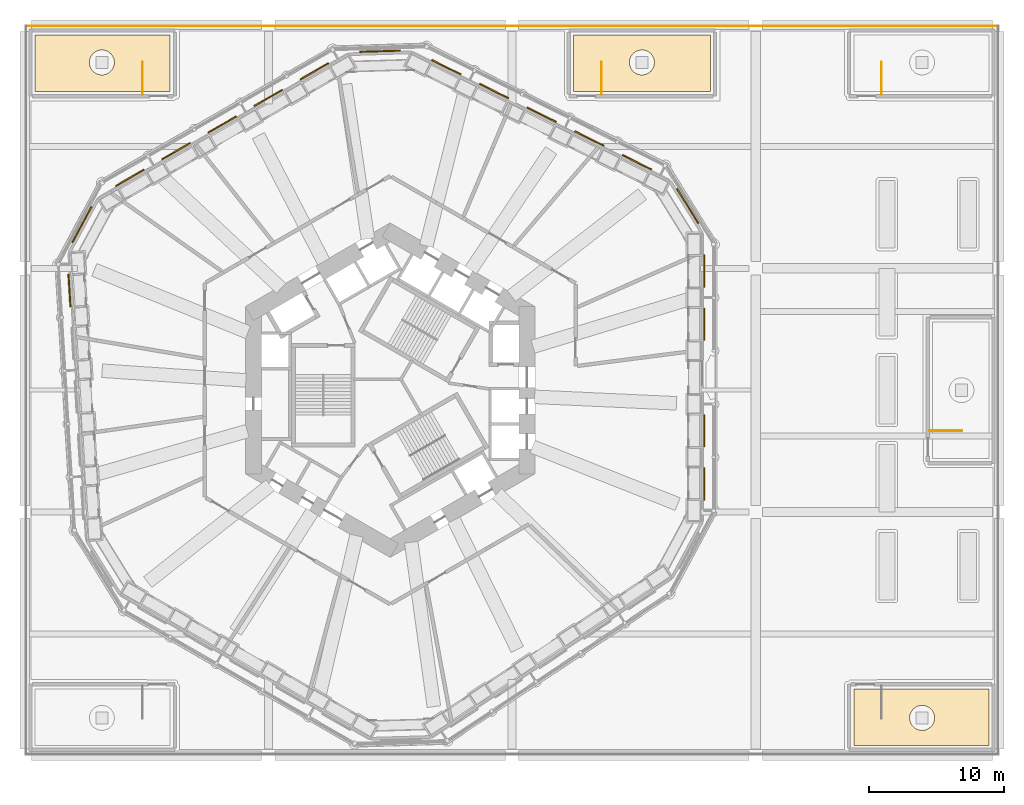
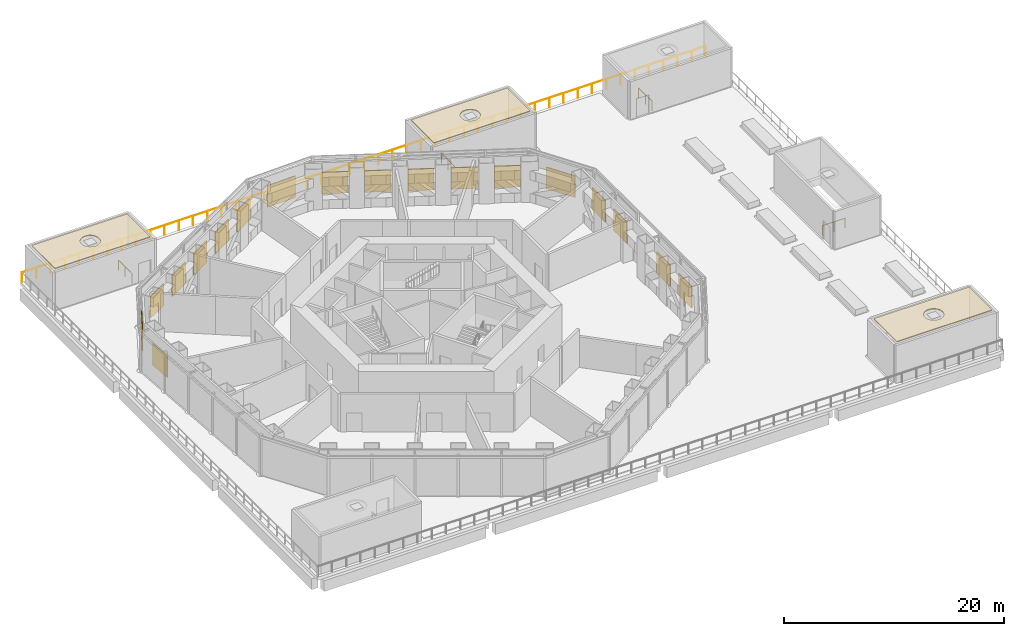
# One storey, part 18 of 20: 18 shading devices, 5 railings, 3 coverings.
"""IFC4 building model written with IfcOpenShell, lengths in metres."""

from ifc_helpers import new_model, si_unit, direction, frame, origin, origin_2d, place, context, subcontext, project, spatial, polyline, rectangle, circle, outline, extrude, material, layer, layer_set, type_object, element, save


model = new_model("IFC4")

# Units and contexts
model_context = context("Model", 3, precision=1e-05, world=origin(), true_north=direction((0.0, 1.0)))
body_context = subcontext(model_context, "Body", "Model", "MODEL_VIEW")
ifc_project = project(units=[si_unit("LENGTHUNIT", "METRE"), si_unit("AREAUNIT", "SQUARE_METRE"), si_unit("VOLUMEUNIT", "CUBIC_METRE"), si_unit("PLANEANGLEUNIT", "RADIAN"), si_unit("MASSUNIT", "GRAM", prefix="KILO")], contexts=[model_context])

# Site, building, storey
site_placement = place(None, origin())
site = spatial("IfcSite", under=ifc_project, at=site_placement, CompositionType="ELEMENT")
building_placement = place(site_placement, origin())
building = spatial("IfcBuilding", under=site, at=building_placement, Name="Vanh Sen Convention Tower", CompositionType="ELEMENT")
storey_placement = place(building_placement, frame((0.0, 0.0, 34.5)))
storey = spatial("IfcBuildingStorey", under=building, at=storey_placement, Name="L05", CompositionType="ELEMENT", Elevation=34.5)

# Shading devices
ifc_material_1 = material(Name="Aluminium fixed louvre", Category="aluminium")
ifc_layer_1 = layer(ifc_material_1, 0.10009765625)
ifc_layer_set_1 = layer_set([ifc_layer_1], Name="Aluminium fixed louvre")
shading_device_type_1 = type_object("IfcShadingDeviceType", Name="Fixed louvre band 2400 x 2400", PredefinedType="USERDEFINED", material=ifc_layer_set_1)
for number, where, z_axis, x_axis, name in (
    (1, (23.199951171875, -6.931884765625, 0.900146484375), (0.0, 0.0, 1.0), (0.0, 1.0, 0.0), "Fixed louvre band LV1-E1"),
    (2, (23.199951171875, -2.997314453125, 0.900146484375), (0.0, 0.0, 1.0), (0.0, 1.0, 0.0), "Fixed louvre band LV1-E2"),
    (3, (23.199951171875, 4.871826171875, 0.900146484375), (0.0, 0.0, 1.0), (0.0, 1.0, 0.0), "Fixed louvre band LV1-E4"),
    (4, (23.199951171875, 8.806396484375, 0.900146484375), (0.0, 0.0, 1.0), (0.0, 1.0, 0.0), "Fixed louvre band LV1-E5"),
    (5, (18.23291015625, 16.8330078125, 0.900146484375), (0.0, 0.0, 1.0), (-0.894933582839, 0.446199375064, 0.0), "Fixed louvre band LV1-NE1"),
    (6, (14.7119140625, 18.588623046875, 0.900146484375), (0.0, 0.0, 1.0), (-0.894933582839, 0.446199375064, 0.0), "Fixed louvre band LV1-NE2"),
    (7, (11.190673828125, 20.34423828125, 0.900146484375), (0.0, 0.0, 1.0), (-0.894933582839, 0.446199375064, 0.0), "Fixed louvre band LV1-NE3"),
    (8, (7.66943359375, 22.099853515625, 0.900146484375), (0.0, 0.0, 1.0), (-0.894933582839, 0.446199375064, 0.0), "Fixed louvre band LV1-NE4"),
    (9, (4.148193359375, 23.85546875, 0.900146484375), (0.0, 0.0, 1.0), (-0.894933582839, 0.446199375064, 0.0), "Fixed louvre band LV1-NE5"),
    (10, (-5.5966796875, 23.557861328125, 0.900146484375), (0.0, 0.0, 1.0), (-0.866024531118, -0.500001511499, 0.0), "Fixed louvre band LV1-NW1"),
    (11, (-9.004150390625, 21.59033203125, 0.900146484375), (0.0, 0.0, 1.0), (-0.866024531118, -0.500001511499, 0.0), "Fixed louvre band LV1-NW2"),
    (12, (-12.41162109375, 19.623046875, 0.900146484375), (0.0, 0.0, 1.0), (-0.866024531118, -0.500001511499, 0.0), "Fixed louvre band LV1-NW3"),
    (13, (-15.819091796875, 17.65576171875, 0.900146484375), (0.0, 0.0, 1.0), (-0.866024531118, -0.500001511499, 0.0), "Fixed louvre band LV1-NW4"),
    (14, (-19.2265625, 15.6884765625, 0.900146484375), (0.0, 0.0, 1.0), (-0.866024531118, -0.500001511499, 0.0), "Fixed louvre band LV1-NW5"),
    (15, (-23.6943359375, 7.373779296875, 0.900146484375), (0.0, 0.0, 1.0), (0.061048539535, -0.998134798422, 0.0), "Fixed louvre band LV1-W1"),
):
    element("IfcShadingDevice", number, at=place(storey_placement, frame(where, z_axis=z_axis, x_axis=x_axis)), inside=storey, type_object=shading_device_type_1, Name=name, ObjectType="LOUVRE", PredefinedType="USERDEFINED", context=body_context, shape_type="SweptSolid", body=[
        extrude(rectangle(XDim=2.39990234375, YDim=0.10009765625, at=origin_2d()), origin(), (0.0, 0.0, 1.0), 2.39990234375),
    ])
ifc_layer_2 = layer(ifc_material_1, 0.10009765625)
ifc_layer_set_2 = layer_set([ifc_layer_2], Name="Aluminium fixed louvre")
shading_device_type_2 = type_object("IfcShadingDeviceType", Name="Fixed louvre band 3000 x 2400", PredefinedType="USERDEFINED", material=ifc_layer_set_2)
for number, where, z_axis, x_axis, name in (
    (16, (21.980224609375, 13.601806640625, 0.900146484375), (0.0, 0.0, 1.0), (-0.526209471211, 0.850354980234, 0.0), "Fixed louvre band LV2-CH11"),
    (17, (-0.764892578125, 25.039794921875, 0.900146484375), (0.0, 0.0, 1.0), (-0.999533377613, -0.03054549127, 0.0), "Fixed louvre band LV2-CH21"),
    (18, (-22.76953125, 12.234619140625, 0.900146484375), (0.0, 0.0, 1.0), (-0.473333504126, -0.880883303209, 0.0), "Fixed louvre band LV2-CH31"),
):
    element("IfcShadingDevice", number, at=place(storey_placement, frame(where, z_axis=z_axis, x_axis=x_axis)), inside=storey, type_object=shading_device_type_2, Name=name, ObjectType="LOUVRE", PredefinedType="USERDEFINED", context=body_context, shape_type="SweptSolid", body=[
        extrude(rectangle(XDim=3.0, YDim=0.10009765625, at=origin_2d()), origin(), (0.0, 0.0, 1.0), 2.39990234375),
    ])

# Railings
ifc_material_2 = material(Name="Stainless steel", Category="steel")
railing_type_1 = type_object("IfcRailingType", Name="Podium stair guard 1100", PredefinedType="GUARDRAIL", material=ifc_material_2)
railing_1_placement = place(storey_placement, frame((36.300048828125, 21.85009765625, 0.0)))
element("IfcRailing", 19, at=railing_1_placement, inside=storey, type_object=railing_type_1, Name="Guard PS1 L05", PredefinedType="GUARDRAIL", context=body_context, shape_type="SweptSolid", body=[
    extrude(circle(Radius=0.02392578125, at=origin_2d()), frame((0.0, 0.0, 1.076171875), z_axis=(0.0, 1.0, 0.0), x_axis=(-1.0, 0.0, 0.0)), (0.0, 0.0, 1.0), 2.39990234375),
    extrude(circle(Radius=0.02099609375, at=origin_2d()), origin(), (0.0, 0.0, 1.0), 1.052001953125),
    extrude(circle(Radius=0.02099609375, at=origin_2d()), frame((0.0, 1.199951171875, 0.0)), (0.0, 0.0, 1.0), 1.052001953125),
    extrude(circle(Radius=0.02099609375, at=origin_2d()), frame((0.0, 2.39990234375, 0.0)), (0.0, 0.0, 1.0), 1.052001953125),
])
railing_2_placement = place(storey_placement, frame((39.85009765625, -3.0, 0.0)))
element("IfcRailing", 20, at=railing_2_placement, inside=storey, type_object=railing_type_1, Name="Guard PS3 L05", PredefinedType="GUARDRAIL", context=body_context, shape_type="SweptSolid", body=[
    extrude(circle(Radius=0.02392578125, at=origin_2d()), frame((0.0, 0.0, 1.076171875), z_axis=(1.0, 0.0, 0.0), x_axis=(0.0, 1.0, 0.0)), (0.0, 0.0, 1.0), 2.39990234375),
    extrude(circle(Radius=0.02099609375, at=origin_2d()), origin(), (0.0, 0.0, 1.0), 1.052001953125),
    extrude(circle(Radius=0.02099609375, at=origin_2d()), frame((1.199951171875, 0.0, 0.0)), (0.0, 0.0, 1.0), 1.052001953125),
    extrude(circle(Radius=0.02099609375, at=origin_2d()), frame((2.39990234375, 0.0, 0.0)), (0.0, 0.0, 1.0), 1.052001953125),
])
for number, where, name in (
    (21, (15.60009765625, 21.85009765625, 0.0), "Guard PS4 L05"),
    (22, (-18.300048828125, 21.85009765625, 0.0), "Guard PS5 L05"),
):
    element("IfcRailing", number, at=place(storey_placement, frame(where)), inside=storey, type_object=railing_type_1, Name=name, PredefinedType="GUARDRAIL", context=body_context, shape_type="SweptSolid", body=[
        extrude(circle(Radius=0.02392578125, at=origin_2d()), frame((0.0, 0.0, 1.076171875), z_axis=(0.0, 1.0, 0.0), x_axis=(-1.0, 0.0, 0.0)), (0.0, 0.0, 1.0), 2.39990234375),
        extrude(circle(Radius=0.02099609375, at=origin_2d()), origin(), (0.0, 0.0, 1.0), 1.052001953125),
        extrude(circle(Radius=0.02099609375, at=origin_2d()), frame((0.0, 1.199951171875, 0.0)), (0.0, 0.0, 1.0), 1.052001953125),
        extrude(circle(Radius=0.02099609375, at=origin_2d()), frame((0.0, 2.39990234375, 0.0)), (0.0, 0.0, 1.0), 1.052001953125),
    ])

# Coverings
ifc_material_3 = material(Name="Bituminous roof membrane on rigid insulation")
ifc_layer_3 = layer(ifc_material_3, 0.090087890625)
ifc_layer_set_3 = layer_set([ifc_layer_3], Name="Bituminous roof membrane on rigid insulation")
covering_type = type_object("IfcCoveringType", Name="Roof membrane and insulation 90", PredefinedType="ROOFING", material=ifc_layer_set_3)
covering_1_placement = place(storey_placement, frame((0.0, 0.0, 4.199951171875)))
element("IfcCovering", 23, at=covering_1_placement, inside=storey, type_object=covering_type, Name="Roof covering RC1", PredefinedType="ROOFING", context=body_context, shape_type="SweptSolid", body=[
    extrude(outline(polyline([(34.25, -26.25), (44.25, -26.25), (44.25, -22.074951171875), (34.25, -22.074951171875), (34.25, -26.25)]), holes=[polyline([(40.17724609375, -24.489013671875), (40.18310546875, -24.47021484375), (40.2001953125, -24.401611328125), (40.2041015625, -24.38232421875), (40.21435546875, -24.3125), (40.21630859375, -24.29296875), (40.2197265625, -24.222412109375), (40.2197265625, -24.20263671875), (40.21630859375, -24.132080078125), (40.21435546875, -24.112548828125), (40.2041015625, -24.042724609375), (40.2001953125, -24.0234375), (40.18310546875, -23.954833984375), (40.17724609375, -23.93603515625), (40.153564453125, -23.86962890625), (40.14599609375, -23.8515625), (40.11572265625, -23.78759765625), (40.1064453125, -23.770263671875), (40.0703125, -23.709716796875), (40.059326171875, -23.693359375), (40.01708984375, -23.63671875), (40.0048828125, -23.621337890625), (39.957275390625, -23.569091796875), (39.943359375, -23.55517578125), (39.89111328125, -23.5078125), (39.8759765625, -23.495361328125), (39.819091796875, -23.453125), (39.802734375, -23.4423828125), (39.7421875, -23.406005859375), (39.724853515625, -23.396728515625), (39.660888671875, -23.366455078125), (39.642822265625, -23.35888671875), (39.576416015625, -23.335205078125), (39.5576171875, -23.32958984375), (39.489013671875, -23.312255859375), (39.4697265625, -23.30859375), (39.39990234375, -23.298095703125), (39.38037109375, -23.296142578125), (39.309814453125, -23.292724609375), (39.290283203125, -23.292724609375), (39.219482421875, -23.296142578125), (39.2001953125, -23.298095703125), (39.130126953125, -23.30859375), (39.11083984375, -23.312255859375), (39.04248046875, -23.32958984375), (39.023681640625, -23.335205078125), (38.95703125, -23.35888671875), (38.93896484375, -23.366455078125), (38.875, -23.396728515625), (38.85791015625, -23.406005859375), (38.797119140625, -23.4423828125), (38.78076171875, -23.453125), (38.72412109375, -23.495361328125), (38.708984375, -23.5078125), (38.656494140625, -23.55517578125), (38.642578125, -23.569091796875), (38.59521484375, -23.621337890625), (38.582763671875, -23.63671875), (38.540771484375, -23.693359375), (38.52978515625, -23.709716796875), (38.493408203125, -23.770263671875), (38.484130859375, -23.78759765625), (38.4541015625, -23.8515625), (38.446533203125, -23.86962890625), (38.422607421875, -23.93603515625), (38.4169921875, -23.954833984375), (38.39990234375, -24.0234375), (38.39599609375, -24.042724609375), (38.385498046875, -24.112548828125), (38.3837890625, -24.132080078125), (38.380126953125, -24.20263671875), (38.380126953125, -24.222412109375), (38.3837890625, -24.29296875), (38.385498046875, -24.3125), (38.39599609375, -24.38232421875), (38.39990234375, -24.401611328125), (38.4169921875, -24.47021484375), (38.422607421875, -24.489013671875), (38.446533203125, -24.555419921875), (38.4541015625, -24.573486328125), (38.484130859375, -24.637451171875), (38.493408203125, -24.65478515625), (38.52978515625, -24.71533203125), (38.540771484375, -24.731689453125), (38.582763671875, -24.788330078125), (38.59521484375, -24.8037109375), (38.642578125, -24.85595703125), (38.656494140625, -24.869873046875), (38.708984375, -24.917236328125), (38.72412109375, -24.9296875), (38.78076171875, -24.9716796875), (38.797119140625, -24.982666015625), (38.85791015625, -25.01904296875), (38.875, -25.0283203125), (38.93896484375, -25.05859375), (38.95703125, -25.06591796875), (39.023681640625, -25.08984375), (39.04248046875, -25.095458984375), (39.11083984375, -25.11279296875), (39.130126953125, -25.116455078125), (39.2001953125, -25.126953125), (39.219482421875, -25.12890625), (39.290283203125, -25.13232421875), (39.309814453125, -25.13232421875), (39.38037109375, -25.12890625), (39.39990234375, -25.126953125), (39.4697265625, -25.116455078125), (39.489013671875, -25.11279296875), (39.5576171875, -25.095458984375), (39.576416015625, -25.08984375), (39.642822265625, -25.06591796875), (39.660888671875, -25.05859375), (39.724853515625, -25.0283203125), (39.7421875, -25.01904296875), (39.802734375, -24.982666015625), (39.819091796875, -24.9716796875), (39.8759765625, -24.9296875), (39.89111328125, -24.917236328125), (39.943359375, -24.869873046875), (39.957275390625, -24.85595703125), (40.0048828125, -24.8037109375), (40.01708984375, -24.788330078125), (40.059326171875, -24.731689453125), (40.0703125, -24.71533203125), (40.1064453125, -24.65478515625), (40.11572265625, -24.637451171875), (40.14599609375, -24.573486328125), (40.153564453125, -24.555419921875), (40.17724609375, -24.489013671875)])]), origin(), (0.0, 0.0, 1.0), 0.090087890625),
])
covering_2_placement = place(storey_placement, frame((0.0, 0.0, 4.199951171875)))
element("IfcCovering", 24, at=covering_2_placement, inside=storey, type_object=covering_type, Name="Roof covering RC1", PredefinedType="ROOFING", context=body_context, shape_type="SweptSolid", body=[
    extrude(outline(polyline([(13.550048828125, 22.074951171875), (23.64990234375, 22.074951171875), (23.64990234375, 26.25), (13.550048828125, 26.25), (13.550048828125, 22.074951171875)]), holes=[polyline([(19.45361328125, 23.86962890625), (19.477294921875, 23.93603515625), (19.48291015625, 23.954833984375), (19.500244140625, 24.0234375), (19.50390625, 24.042724609375), (19.514404296875, 24.112548828125), (19.516357421875, 24.132080078125), (19.519775390625, 24.20263671875), (19.519775390625, 24.222412109375), (19.516357421875, 24.29296875), (19.514404296875, 24.3125), (19.50390625, 24.38232421875), (19.500244140625, 24.401611328125), (19.48291015625, 24.47021484375), (19.477294921875, 24.489013671875), (19.45361328125, 24.555419921875), (19.446044921875, 24.573486328125), (19.415771484375, 24.637451171875), (19.406494140625, 24.65478515625), (19.3701171875, 24.71533203125), (19.359375, 24.731689453125), (19.317138671875, 24.788330078125), (19.3046875, 24.8037109375), (19.25732421875, 24.85595703125), (19.243408203125, 24.869873046875), (19.191162109375, 24.917236328125), (19.17578125, 24.9296875), (19.119140625, 24.9716796875), (19.102783203125, 24.982666015625), (19.042236328125, 25.01904296875), (19.02490234375, 25.0283203125), (18.9609375, 25.05859375), (18.94287109375, 25.06591796875), (18.87646484375, 25.08984375), (18.857666015625, 25.095458984375), (18.7890625, 25.11279296875), (18.769775390625, 25.116455078125), (18.699951171875, 25.126953125), (18.680419921875, 25.12890625), (18.60986328125, 25.13232421875), (18.590087890625, 25.13232421875), (18.51953125, 25.12890625), (18.5, 25.126953125), (18.43017578125, 25.116455078125), (18.410888671875, 25.11279296875), (18.34228515625, 25.095458984375), (18.323486328125, 25.08984375), (18.257080078125, 25.06591796875), (18.239013671875, 25.05859375), (18.175048828125, 25.0283203125), (18.15771484375, 25.01904296875), (18.09716796875, 24.982666015625), (18.080810546875, 24.9716796875), (18.024169921875, 24.9296875), (18.0087890625, 24.917236328125), (17.95654296875, 24.869873046875), (17.942626953125, 24.85595703125), (17.895263671875, 24.8037109375), (17.8828125, 24.788330078125), (17.8408203125, 24.731689453125), (17.829833984375, 24.71533203125), (17.79345703125, 24.65478515625), (17.7841796875, 24.637451171875), (17.75390625, 24.573486328125), (17.74658203125, 24.555419921875), (17.72265625, 24.489013671875), (17.717041015625, 24.47021484375), (17.69970703125, 24.401611328125), (17.696044921875, 24.38232421875), (17.685546875, 24.3125), (17.68359375, 24.29296875), (17.68017578125, 24.222412109375), (17.68017578125, 24.20263671875), (17.68359375, 24.132080078125), (17.685546875, 24.112548828125), (17.696044921875, 24.042724609375), (17.69970703125, 24.0234375), (17.717041015625, 23.954833984375), (17.72265625, 23.93603515625), (17.74658203125, 23.86962890625), (17.75390625, 23.8515625), (17.7841796875, 23.78759765625), (17.79345703125, 23.770263671875), (17.829833984375, 23.709716796875), (17.8408203125, 23.693359375), (17.8828125, 23.63671875), (17.895263671875, 23.621337890625), (17.942626953125, 23.569091796875), (17.95654296875, 23.55517578125), (18.0087890625, 23.5078125), (18.024169921875, 23.495361328125), (18.080810546875, 23.453125), (18.09716796875, 23.4423828125), (18.15771484375, 23.406005859375), (18.175048828125, 23.396728515625), (18.239013671875, 23.366455078125), (18.257080078125, 23.35888671875), (18.323486328125, 23.335205078125), (18.34228515625, 23.32958984375), (18.410888671875, 23.312255859375), (18.43017578125, 23.30859375), (18.5, 23.298095703125), (18.51953125, 23.296142578125), (18.590087890625, 23.292724609375), (18.60986328125, 23.292724609375), (18.680419921875, 23.296142578125), (18.699951171875, 23.298095703125), (18.769775390625, 23.30859375), (18.7890625, 23.312255859375), (18.857666015625, 23.32958984375), (18.87646484375, 23.335205078125), (18.94287109375, 23.35888671875), (18.9609375, 23.366455078125), (19.02490234375, 23.396728515625), (19.042236328125, 23.406005859375), (19.102783203125, 23.4423828125), (19.119140625, 23.453125), (19.17578125, 23.495361328125), (19.191162109375, 23.5078125), (19.243408203125, 23.55517578125), (19.25732421875, 23.569091796875), (19.3046875, 23.621337890625), (19.317138671875, 23.63671875), (19.359375, 23.693359375), (19.3701171875, 23.709716796875), (19.406494140625, 23.770263671875), (19.415771484375, 23.78759765625), (19.446044921875, 23.8515625), (19.45361328125, 23.86962890625)])]), origin(), (0.0, 0.0, 1.0), 0.090087890625),
])
covering_3_placement = place(storey_placement, frame((0.0, 0.0, 4.199951171875)))
element("IfcCovering", 25, at=covering_3_placement, inside=storey, type_object=covering_type, Name="Roof covering RC1", PredefinedType="ROOFING", context=body_context, shape_type="SweptSolid", body=[
    extrude(outline(polyline([(-16.25, 26.25), (-26.25, 26.25), (-26.25, 22.074951171875), (-16.25, 22.074951171875), (-16.25, 26.25)]), holes=[polyline([(-20.422607421875, 23.93603515625), (-20.4169921875, 23.954833984375), (-20.39990234375, 24.0234375), (-20.39599609375, 24.042724609375), (-20.385498046875, 24.112548828125), (-20.3837890625, 24.132080078125), (-20.380126953125, 24.20263671875), (-20.380126953125, 24.222412109375), (-20.3837890625, 24.29296875), (-20.385498046875, 24.3125), (-20.39599609375, 24.38232421875), (-20.39990234375, 24.401611328125), (-20.4169921875, 24.47021484375), (-20.422607421875, 24.489013671875), (-20.446533203125, 24.555419921875), (-20.4541015625, 24.573486328125), (-20.484130859375, 24.637451171875), (-20.493408203125, 24.65478515625), (-20.52978515625, 24.71533203125), (-20.540771484375, 24.731689453125), (-20.582763671875, 24.788330078125), (-20.59521484375, 24.8037109375), (-20.642578125, 24.85595703125), (-20.656494140625, 24.869873046875), (-20.708984375, 24.917236328125), (-20.72412109375, 24.9296875), (-20.78076171875, 24.9716796875), (-20.797119140625, 24.982666015625), (-20.85791015625, 25.01904296875), (-20.875, 25.0283203125), (-20.93896484375, 25.05859375), (-20.95703125, 25.06591796875), (-21.023681640625, 25.08984375), (-21.04248046875, 25.095458984375), (-21.11083984375, 25.11279296875), (-21.130126953125, 25.116455078125), (-21.2001953125, 25.126953125), (-21.219482421875, 25.12890625), (-21.290283203125, 25.13232421875), (-21.309814453125, 25.13232421875), (-21.38037109375, 25.12890625), (-21.39990234375, 25.126953125), (-21.4697265625, 25.116455078125), (-21.489013671875, 25.11279296875), (-21.5576171875, 25.095458984375), (-21.576416015625, 25.08984375), (-21.642822265625, 25.06591796875), (-21.660888671875, 25.05859375), (-21.724853515625, 25.0283203125), (-21.7421875, 25.01904296875), (-21.802734375, 24.982666015625), (-21.819091796875, 24.9716796875), (-21.8759765625, 24.9296875), (-21.89111328125, 24.917236328125), (-21.943359375, 24.869873046875), (-21.957275390625, 24.85595703125), (-22.0048828125, 24.8037109375), (-22.01708984375, 24.788330078125), (-22.059326171875, 24.731689453125), (-22.0703125, 24.71533203125), (-22.1064453125, 24.65478515625), (-22.11572265625, 24.637451171875), (-22.14599609375, 24.573486328125), (-22.153564453125, 24.555419921875), (-22.17724609375, 24.489013671875), (-22.18310546875, 24.47021484375), (-22.2001953125, 24.401611328125), (-22.2041015625, 24.38232421875), (-22.21435546875, 24.3125), (-22.21630859375, 24.29296875), (-22.2197265625, 24.222412109375), (-22.2197265625, 24.20263671875), (-22.21630859375, 24.132080078125), (-22.21435546875, 24.112548828125), (-22.2041015625, 24.042724609375), (-22.2001953125, 24.0234375), (-22.18310546875, 23.954833984375), (-22.17724609375, 23.93603515625), (-22.153564453125, 23.86962890625), (-22.14599609375, 23.8515625), (-22.11572265625, 23.78759765625), (-22.1064453125, 23.770263671875), (-22.0703125, 23.709716796875), (-22.059326171875, 23.693359375), (-22.01708984375, 23.63671875), (-22.0048828125, 23.621337890625), (-21.957275390625, 23.569091796875), (-21.943359375, 23.55517578125), (-21.89111328125, 23.5078125), (-21.8759765625, 23.495361328125), (-21.819091796875, 23.453125), (-21.802734375, 23.4423828125), (-21.7421875, 23.406005859375), (-21.724853515625, 23.396728515625), (-21.660888671875, 23.366455078125), (-21.642822265625, 23.35888671875), (-21.576416015625, 23.335205078125), (-21.5576171875, 23.32958984375), (-21.489013671875, 23.312255859375), (-21.4697265625, 23.30859375), (-21.39990234375, 23.298095703125), (-21.38037109375, 23.296142578125), (-21.309814453125, 23.292724609375), (-21.290283203125, 23.292724609375), (-21.219482421875, 23.296142578125), (-21.2001953125, 23.298095703125), (-21.130126953125, 23.30859375), (-21.11083984375, 23.312255859375), (-21.04248046875, 23.32958984375), (-21.023681640625, 23.335205078125), (-20.95703125, 23.35888671875), (-20.93896484375, 23.366455078125), (-20.875, 23.396728515625), (-20.85791015625, 23.406005859375), (-20.797119140625, 23.4423828125), (-20.78076171875, 23.453125), (-20.72412109375, 23.495361328125), (-20.708984375, 23.5078125), (-20.656494140625, 23.55517578125), (-20.642578125, 23.569091796875), (-20.59521484375, 23.621337890625), (-20.582763671875, 23.63671875), (-20.540771484375, 23.693359375), (-20.52978515625, 23.709716796875), (-20.493408203125, 23.770263671875), (-20.484130859375, 23.78759765625), (-20.4541015625, 23.8515625), (-20.446533203125, 23.86962890625), (-20.422607421875, 23.93603515625)])]), origin(), (0.0, 0.0, 1.0), 0.090087890625),
])

# Railing
ifc_material_4 = material(Name="Stainless steel posts with toughened glass infill", Category="steel")
railing_type_2 = type_object("IfcRailingType", Name="Terrace guard 1150", PredefinedType="GUARDRAIL", material=ifc_material_4)
railing_3_placement = place(storey_placement, frame((44.89990234375, 26.89990234375, 0.0)))
element("IfcRailing", 26, at=railing_3_placement, inside=storey, type_object=railing_type_2, Name="Terrace guard N L05", PredefinedType="GUARDRAIL", context=body_context, shape_type="SweptSolid", body=[
    extrude(circle(Radius=0.02392578125, at=origin_2d()), frame((0.0, 0.0, 1.1259765625), z_axis=(-1.0, 0.0, 0.0), x_axis=(0.0, -1.0, 0.0)), (0.0, 0.0, 1.0), 71.7998046875),
    extrude(circle(Radius=0.02099609375, at=origin_2d()), origin(), (0.0, 0.0, 1.0), 1.101806640625),
    extrude(circle(Radius=0.02099609375, at=origin_2d()), frame((-1.495849609375, 0.0, 0.0)), (0.0, 0.0, 1.0), 1.101806640625),
    extrude(circle(Radius=0.02099609375, at=origin_2d()), frame((-2.99169921875, 0.0, 0.0)), (0.0, 0.0, 1.0), 1.101806640625),
    extrude(circle(Radius=0.02099609375, at=origin_2d()), frame((-4.487548828125, 0.0, 0.0)), (0.0, 0.0, 1.0), 1.101806640625),
    extrude(circle(Radius=0.02099609375, at=origin_2d()), frame((-5.9833984375, 0.0, 0.0)), (0.0, 0.0, 1.0), 1.101806640625),
    extrude(circle(Radius=0.02099609375, at=origin_2d()), frame((-7.479248046875, 0.0, 0.0)), (0.0, 0.0, 1.0), 1.101806640625),
    extrude(circle(Radius=0.02099609375, at=origin_2d()), frame((-8.97509765625, 0.0, 0.0)), (0.0, 0.0, 1.0), 1.101806640625),
    extrude(circle(Radius=0.02099609375, at=origin_2d()), frame((-10.470703125, 0.0, 0.0)), (0.0, 0.0, 1.0), 1.101806640625),
    extrude(circle(Radius=0.02099609375, at=origin_2d()), frame((-11.966552734375, 0.0, 0.0)), (0.0, 0.0, 1.0), 1.101806640625),
    extrude(circle(Radius=0.02099609375, at=origin_2d()), frame((-13.46240234375, 0.0, 0.0)), (0.0, 0.0, 1.0), 1.101806640625),
    extrude(circle(Radius=0.02099609375, at=origin_2d()), frame((-14.958251953125, 0.0, 0.0)), (0.0, 0.0, 1.0), 1.101806640625),
    extrude(circle(Radius=0.02099609375, at=origin_2d()), frame((-16.4541015625, 0.0, 0.0)), (0.0, 0.0, 1.0), 1.101806640625),
    extrude(circle(Radius=0.02099609375, at=origin_2d()), frame((-17.949951171875, 0.0, 0.0)), (0.0, 0.0, 1.0), 1.101806640625),
    extrude(circle(Radius=0.02099609375, at=origin_2d()), frame((-19.44580078125, 0.0, 0.0)), (0.0, 0.0, 1.0), 1.101806640625),
    extrude(circle(Radius=0.02099609375, at=origin_2d()), frame((-20.941650390625, 0.0, 0.0)), (0.0, 0.0, 1.0), 1.101806640625),
    extrude(circle(Radius=0.02099609375, at=origin_2d()), frame((-22.4375, 0.0, 0.0)), (0.0, 0.0, 1.0), 1.101806640625),
    extrude(circle(Radius=0.02099609375, at=origin_2d()), frame((-23.933349609375, 0.0, 0.0)), (0.0, 0.0, 1.0), 1.101806640625),
    extrude(circle(Radius=0.02099609375, at=origin_2d()), frame((-25.42919921875, 0.0, 0.0)), (0.0, 0.0, 1.0), 1.101806640625),
    extrude(circle(Radius=0.02099609375, at=origin_2d()), frame((-26.9248046875, 0.0, 0.0)), (0.0, 0.0, 1.0), 1.101806640625),
    extrude(circle(Radius=0.02099609375, at=origin_2d()), frame((-28.420654296875, 0.0, 0.0)), (0.0, 0.0, 1.0), 1.101806640625),
    extrude(circle(Radius=0.02099609375, at=origin_2d()), frame((-29.91650390625, 0.0, 0.0)), (0.0, 0.0, 1.0), 1.101806640625),
    extrude(circle(Radius=0.02099609375, at=origin_2d()), frame((-31.412353515625, 0.0, 0.0)), (0.0, 0.0, 1.0), 1.101806640625),
    extrude(circle(Radius=0.02099609375, at=origin_2d()), frame((-32.908203125, 0.0, 0.0)), (0.0, 0.0, 1.0), 1.101806640625),
    extrude(circle(Radius=0.02099609375, at=origin_2d()), frame((-34.404052734375, 0.0, 0.0)), (0.0, 0.0, 1.0), 1.101806640625),
    extrude(circle(Radius=0.02099609375, at=origin_2d()), frame((-35.89990234375, 0.0, 0.0)), (0.0, 0.0, 1.0), 1.101806640625),
    extrude(circle(Radius=0.02099609375, at=origin_2d()), frame((-37.395751953125, 0.0, 0.0)), (0.0, 0.0, 1.0), 1.101806640625),
    extrude(circle(Radius=0.02099609375, at=origin_2d()), frame((-38.8916015625, 0.0, 0.0)), (0.0, 0.0, 1.0), 1.101806640625),
    extrude(circle(Radius=0.02099609375, at=origin_2d()), frame((-40.387451171875, 0.0, 0.0)), (0.0, 0.0, 1.0), 1.101806640625),
    extrude(circle(Radius=0.02099609375, at=origin_2d()), frame((-41.88330078125, 0.0, 0.0)), (0.0, 0.0, 1.0), 1.101806640625),
    extrude(circle(Radius=0.02099609375, at=origin_2d()), frame((-43.379150390625, 0.0, 0.0)), (0.0, 0.0, 1.0), 1.101806640625),
    extrude(circle(Radius=0.02099609375, at=origin_2d()), frame((-44.875, 0.0, 0.0)), (0.0, 0.0, 1.0), 1.101806640625),
    extrude(circle(Radius=0.02099609375, at=origin_2d()), frame((-46.37060546875, 0.0, 0.0)), (0.0, 0.0, 1.0), 1.101806640625),
    extrude(circle(Radius=0.02099609375, at=origin_2d()), frame((-47.866455078125, 0.0, 0.0)), (0.0, 0.0, 1.0), 1.101806640625),
    extrude(circle(Radius=0.02099609375, at=origin_2d()), frame((-49.3623046875, 0.0, 0.0)), (0.0, 0.0, 1.0), 1.101806640625),
    extrude(circle(Radius=0.02099609375, at=origin_2d()), frame((-50.858154296875, 0.0, 0.0)), (0.0, 0.0, 1.0), 1.101806640625),
    extrude(circle(Radius=0.02099609375, at=origin_2d()), frame((-52.35400390625, 0.0, 0.0)), (0.0, 0.0, 1.0), 1.101806640625),
    extrude(circle(Radius=0.02099609375, at=origin_2d()), frame((-53.849853515625, 0.0, 0.0)), (0.0, 0.0, 1.0), 1.101806640625),
    extrude(circle(Radius=0.02099609375, at=origin_2d()), frame((-55.345703125, 0.0, 0.0)), (0.0, 0.0, 1.0), 1.101806640625),
    extrude(circle(Radius=0.02099609375, at=origin_2d()), frame((-56.841552734375, 0.0, 0.0)), (0.0, 0.0, 1.0), 1.101806640625),
    extrude(circle(Radius=0.02099609375, at=origin_2d()), frame((-58.33740234375, 0.0, 0.0)), (0.0, 0.0, 1.0), 1.101806640625),
    extrude(circle(Radius=0.02099609375, at=origin_2d()), frame((-59.833251953125, 0.0, 0.0)), (0.0, 0.0, 1.0), 1.101806640625),
    extrude(circle(Radius=0.02099609375, at=origin_2d()), frame((-61.3291015625, 0.0, 0.0)), (0.0, 0.0, 1.0), 1.101806640625),
    extrude(circle(Radius=0.02099609375, at=origin_2d()), frame((-62.82470703125, 0.0, 0.0)), (0.0, 0.0, 1.0), 1.101806640625),
    extrude(circle(Radius=0.02099609375, at=origin_2d()), frame((-64.320556640625, 0.0, 0.0)), (0.0, 0.0, 1.0), 1.101806640625),
    extrude(circle(Radius=0.02099609375, at=origin_2d()), frame((-65.81640625, 0.0, 0.0)), (0.0, 0.0, 1.0), 1.101806640625),
    extrude(circle(Radius=0.02099609375, at=origin_2d()), frame((-67.312255859375, 0.0, 0.0)), (0.0, 0.0, 1.0), 1.101806640625),
    extrude(circle(Radius=0.02099609375, at=origin_2d()), frame((-68.80810546875, 0.0, 0.0)), (0.0, 0.0, 1.0), 1.101806640625),
    extrude(circle(Radius=0.02099609375, at=origin_2d()), frame((-70.303955078125, 0.0, 0.0)), (0.0, 0.0, 1.0), 1.101806640625),
    extrude(circle(Radius=0.02099609375, at=origin_2d()), frame((-71.7998046875, 0.0, 0.0)), (0.0, 0.0, 1.0), 1.101806640625),
])

save(model, "model.ifc")
